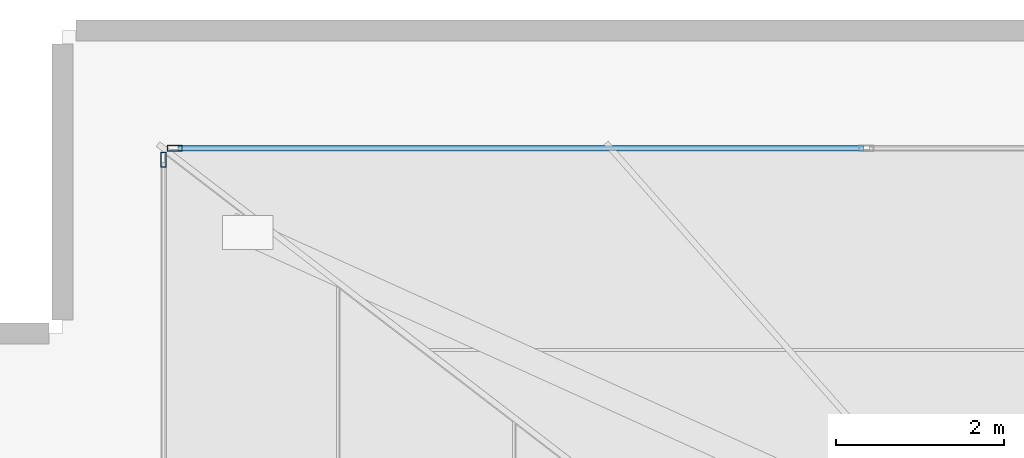
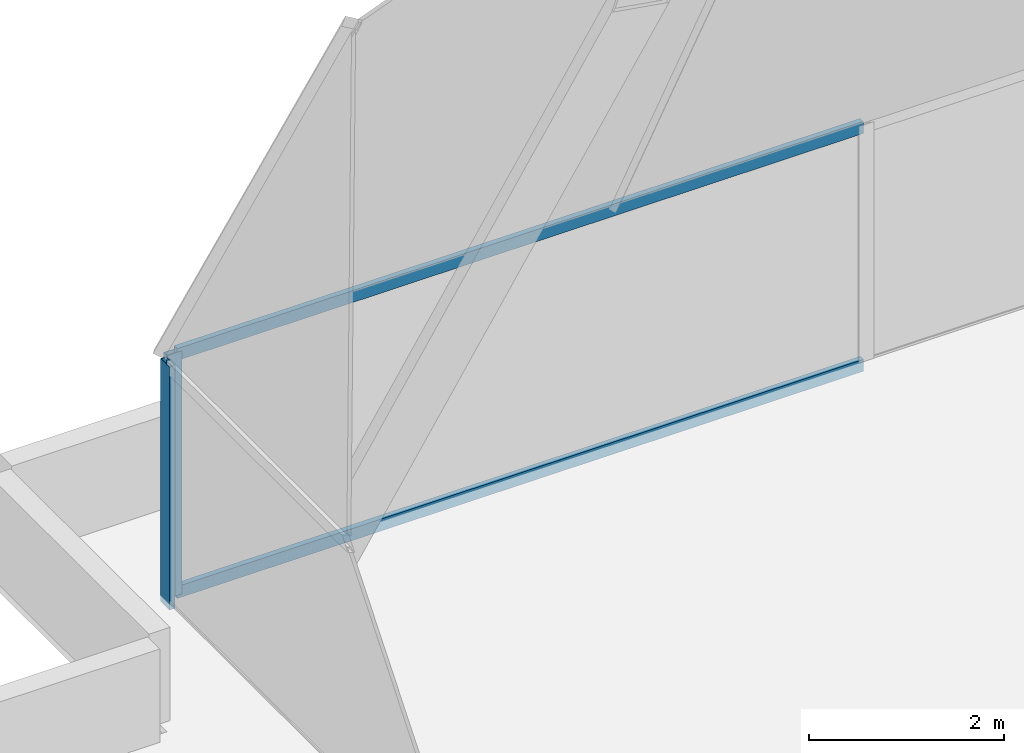
# One storey, part 21 of 32: 4 members, 2 elements without a shape of their own.
"""IFC4 building model written with IfcOpenShell, lengths in metres."""

from ifc_helpers import new_model, si_unit, direction, frame, origin, origin_2d, place, context, subcontext, project, spatial, hollow_rectangle, extrude, source, transform, mapped, material, layer, layer_set, material_profile, profile_set, type_object, element, aggregate, save


model = new_model("IFC4")

# Units and contexts
model_context = context("Model", 3, precision=1e-05, world=origin(), true_north=direction((0.0, 1.0)))
body_context = subcontext(model_context, "Body", "Model", "MODEL_VIEW")
ifc_project = project(units=[si_unit("LENGTHUNIT", "METRE"), si_unit("AREAUNIT", "SQUARE_METRE"), si_unit("VOLUMEUNIT", "CUBIC_METRE"), si_unit("PLANEANGLEUNIT", "RADIAN"), si_unit("MASSUNIT", "GRAM", prefix="KILO")], contexts=[model_context])

# Site, building, storey
site_placement = place(None, origin())
site = spatial("IfcSite", under=ifc_project, at=site_placement, CompositionType="ELEMENT")
building_placement = place(site_placement, origin())
building = spatial("IfcBuilding", under=site, at=building_placement, Name="Sumidabori Civic Tower", CompositionType="ELEMENT")
storey_placement = place(building_placement, frame((0.0, 0.0, 298.199951171875)))
storey = spatial("IfcBuildingStorey", under=building, at=storey_placement, Name="RF Roof Crown", CompositionType="ELEMENT", Elevation=298.199951171875)

# Curtain wall, member
ifc_material = material(Name="Anodised Bronze Aluminium AW-6063-T6", Category="aluminium")
ifc_layer = layer(ifc_material, 0.179931640625, Name="Anodised Bronze Aluminium AW-6063-T6")
ifc_layer_set = layer_set([ifc_layer], Name="Anodised Bronze Aluminium AW-6063-T6")
curtain_wall_type = type_object("IfcCurtainWallType", Name="CW-SYS-6", PredefinedType="NOTDEFINED", material=ifc_layer_set)
curtain_wall_1_placement = place(storey_placement, origin())
curtain_wall_1 = element("IfcCurtainWall", 1, at=curtain_wall_1_placement, inside=storey, type_object=curtain_wall_type, Name="Glass-Point Crown West Cheek Curtain Wall", PredefinedType="NOTDEFINED")
ifc_material_profile_1 = material_profile(ifc_material, hollow_rectangle(XDim=0.070068359375, YDim=0.179931640625, WallThickness=0.006103515625, at=origin_2d()), Name="ALU MULLION 180x70")
ifc_profile_set_1 = profile_set([ifc_material_profile_1], Name="Anodised Bronze Aluminium AW-6063-T6")
member_type_1 = type_object("IfcMemberType", Name="CW-MUL-180", PredefinedType="MULLION", material=ifc_profile_set_1)
shared_shape_1 = source(origin(), body_context, "Body", "SweptSolid", [
    extrude(hollow_rectangle(XDim=0.070068359375, YDim=0.179931640625, WallThickness=0.006103515625, at=origin_2d()), origin(), (0.0, 0.0, 1.0), 3.050048828125),
])
member_1_placement = place(storey_placement, frame((-16.60009765625, 22.6650390625, 0.0), z_axis=(0.0, 0.0, 1.0), x_axis=(1.0, 0.0, 0.0)))
member_1 = element("IfcMember", 2, at=member_1_placement, type_object=member_type_1, Name="CW-6 mullion 1", PredefinedType="MULLION", context=body_context, shape_type="MappedRepresentation", body=[
    mapped(shared_shape_1, transform((0.0, 0.0, 0.0), x_axis=(1.0, 0.0, 0.0), y_axis=(0.0, 1.0, 0.0), z_axis=(0.0, 0.0, 1.0), scale=1.0)),
])
aggregate(curtain_wall_1, [member_1])

# Curtain wall, members
curtain_wall_2_placement = place(storey_placement, origin())
curtain_wall_2 = element("IfcCurtainWall", 3, at=curtain_wall_2_placement, inside=storey, type_object=curtain_wall_type, Name="Glass-Point Crown North Shoulder Curtain Wall", PredefinedType="NOTDEFINED")
member_2_placement = place(storey_placement, frame((-16.465087890625, 22.800048828125, 0.0), z_axis=(0.0, 0.0, 1.0), x_axis=(0.0, -1.0, 0.0)))
member_2 = element("IfcMember", 4, at=member_2_placement, type_object=member_type_1, Name="CW-6 mullion 5", PredefinedType="MULLION", context=body_context, shape_type="MappedRepresentation", body=[
    mapped(shared_shape_1, transform((0.0, 0.0, 0.0), x_axis=(1.0, 0.0, 0.0), y_axis=(0.0, 1.0, 0.0), z_axis=(0.0, 0.0, 1.0), scale=1.0)),
])
ifc_material_profile_2 = material_profile(ifc_material, hollow_rectangle(XDim=0.06494140625, YDim=0.14990234375, WallThickness=0.0048828125, at=origin_2d()), Name="ALU TRANSOM 150x65")
ifc_profile_set_2 = profile_set([ifc_material_profile_2], Name="Anodised Bronze Aluminium AW-6063-T6")
member_type_2 = type_object("IfcMemberType", Name="CW-TRN-150", PredefinedType="USERDEFINED", material=ifc_profile_set_2)
shared_shape_2 = source(origin(), body_context, "Body", "SweptSolid", [
    extrude(hollow_rectangle(XDim=0.06494140625, YDim=0.14990234375, WallThickness=0.0048828125, at=origin_2d()), origin(), (0.0, 0.0, 1.0), 8.14501953125),
])
member_3_placement = place(storey_placement, frame((-8.284912109375, 22.800048828125, 0.032470703125), z_axis=(-1.0, 0.0, 0.0), x_axis=(0.0, -1.0, 0.0)))
member_3 = element("IfcMember", 5, at=member_3_placement, type_object=member_type_2, Name="CW-6 transom 4.1", ObjectType="TRANSOM", PredefinedType="USERDEFINED", context=body_context, shape_type="MappedRepresentation", body=[
    mapped(shared_shape_2, transform((0.0, 0.0, 0.0), x_axis=(1.0, 0.0, 0.0), y_axis=(0.0, 1.0, 0.0), z_axis=(0.0, 0.0, 1.0), scale=1.0)),
])
member_4_placement = place(storey_placement, frame((-8.284912109375, 22.800048828125, 3.017578125), z_axis=(-1.0, 0.0, 0.0), x_axis=(0.0, -1.0, 0.0)))
member_4 = element("IfcMember", 6, at=member_4_placement, type_object=member_type_2, Name="CW-6 transom 4.2", ObjectType="TRANSOM", PredefinedType="USERDEFINED", context=body_context, shape_type="MappedRepresentation", body=[
    mapped(shared_shape_2, transform((0.0, 0.0, 0.0), x_axis=(1.0, 0.0, 0.0), y_axis=(0.0, 1.0, 0.0), z_axis=(0.0, 0.0, 1.0), scale=1.0)),
])
aggregate(curtain_wall_2, [member_2, member_3, member_4])

save(model, "model.ifc")
